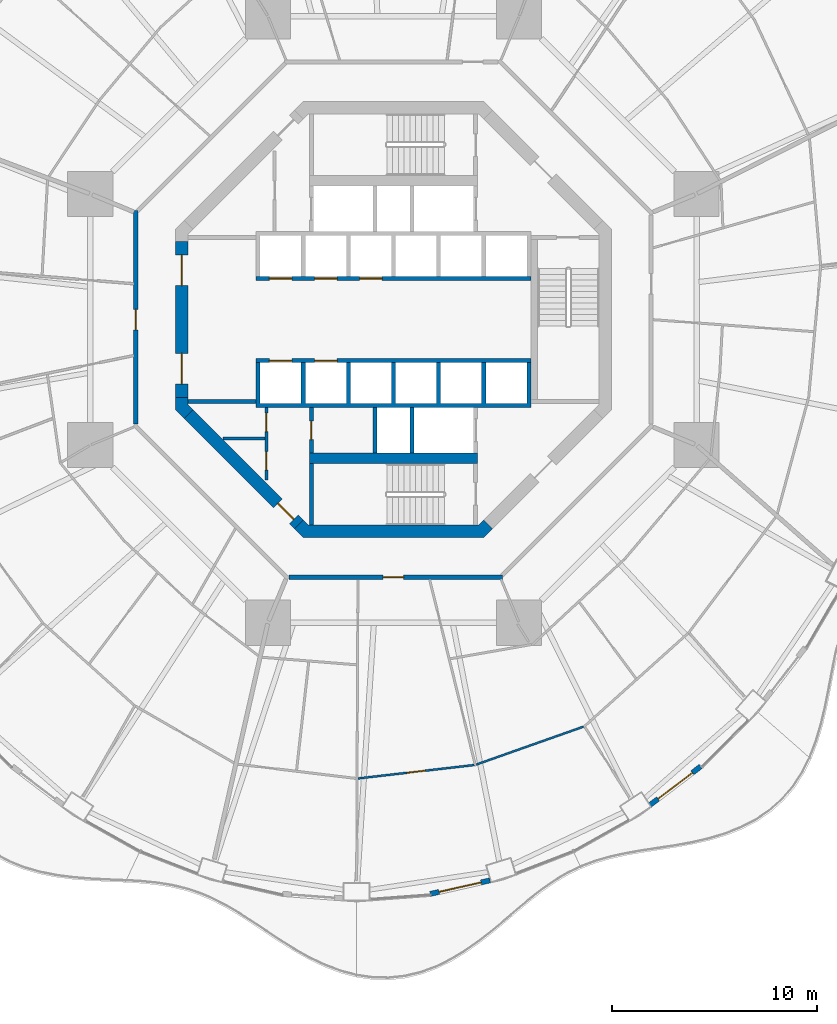
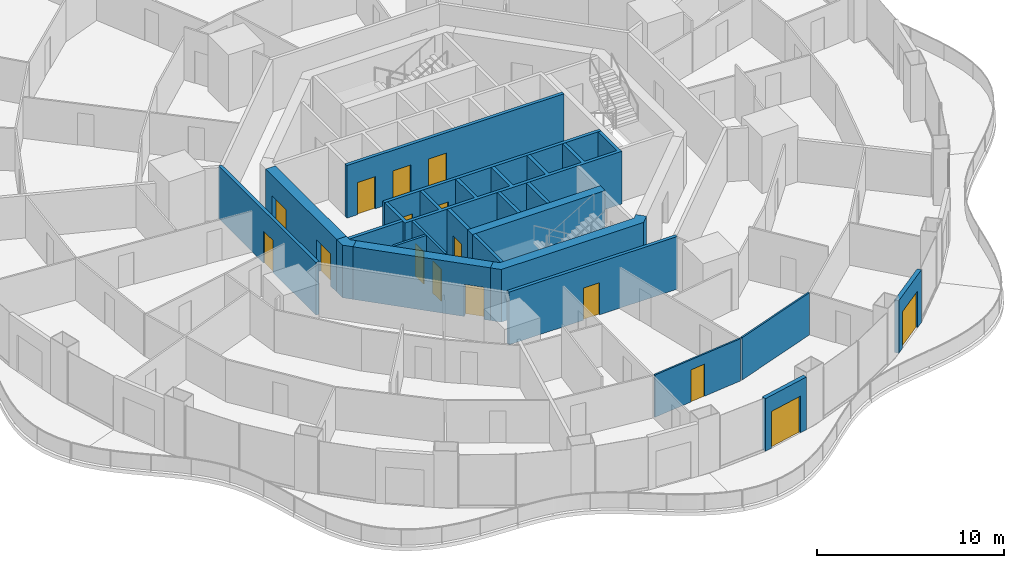
# One storey, part 15 of 22: 21 walls, 16 doors, 16 openings.
"""IFC4 building model written with IfcOpenShell, lengths in metres."""

from ifc_helpers import new_model, si_unit, direction, frame, frame_2d, origin, place, context, subcontext, project, spatial, polyline, rectangle, outline, extrude, material, layer, layer_set, type_object, element, fill, save


model = new_model("IFC4")

# Units and contexts
model_context = context("Model", 3, precision=1e-05, world=origin(), true_north=direction((0.0, 1.0)))
body_context = subcontext(model_context, "Body", "Model", "MODEL_VIEW")
ifc_project = project(units=[si_unit("LENGTHUNIT", "METRE"), si_unit("AREAUNIT", "SQUARE_METRE"), si_unit("VOLUMEUNIT", "CUBIC_METRE"), si_unit("PLANEANGLEUNIT", "RADIAN"), si_unit("MASSUNIT", "GRAM", prefix="KILO")], contexts=[model_context])

# Site, building, storey
site_placement = place(None, origin())
site = spatial("IfcSite", under=ifc_project, at=site_placement, CompositionType="ELEMENT")
building_placement = place(site_placement, origin())
building = spatial("IfcBuilding", under=site, at=building_placement, Name="Nagisa Residences", CompositionType="ELEMENT")
storey_placement = place(building_placement, frame((0.0, 0.0, 80.699951171875)))
storey = spatial("IfcBuildingStorey", under=building, at=storey_placement, Name="L19", CompositionType="ELEMENT", Elevation=80.699951171875)

# Wall, opening, door
ifc_material_1 = material(Name="Gypsum board on steel studs", Category="steel")
ifc_layer_1 = layer(ifc_material_1, 0.199951171875)
ifc_layer_set_1 = layer_set([ifc_layer_1], Name="Apartment entry wall EI60 200")
wall_type_1 = type_object("IfcWallType", Name="Apartment entry wall EI60 200", PredefinedType="PARTITIONING", material=ifc_layer_set_1)
wall_1_placement = place(storey_placement, frame((-12.564697265625, 5.304443359375, 0.0), z_axis=(0.0, 0.0, 1.0), x_axis=(0.0, -1.0, 0.0)))
wall_1 = element("IfcWall", 1, at=wall_1_placement, inside=storey, type_object=wall_type_1, Name="wall:L19:u12", PredefinedType="PARTITIONING", context=body_context, shape_type="SweptSolid", body=[
    extrude(rectangle(XDim=10.408935546875, YDim=0.199951171875, at=frame_2d((5.20458984375, 0.0))), origin(), (0.0, 0.0, 1.0), 3.43994140625),
])
opening_1_placement = place(wall_1_placement, frame((4.804443359375, 0.0, 0.0)))
opening_1 = element("IfcOpeningElement", 2, at=opening_1_placement, cuts=wall_1, Name="Opening L19-U22", PredefinedType="OPENING", context=body_context, shape_type="SweptSolid", body=[
    extrude(rectangle(XDim=1.0, YDim=2.10009765625, at=frame_2d((0.5, 1.050048828125))), frame((0.0, 0.10986328125, 0.0), z_axis=(0.0, -1.0, 0.0), x_axis=(1.0, 0.0, 0.0)), (0.0, 0.0, 1.0), 0.219970703125),
])
ifc_material_2 = material(Name="Timber fire door set", Category="wood")
door_type_1 = type_object("IfcDoorType", Name="Apartment entry door FD30S 1000x2100", OperationType="NOTDEFINED", PredefinedType="DOOR", material=ifc_material_2)
door_1_placement = place(opening_1_placement, frame((1.0, 0.0, 0.0), x_axis=(-1.0, 0.0, 0.0)))
door_1 = element("IfcDoor", 3, at=door_1_placement, inside=storey, type_object=door_type_1, Name="Entry door, Apartment 19B", OperationType="SINGLE_SWING_LEFT", OverallHeight=2.10009765625, OverallWidth=1.0, PredefinedType="DOOR", context=body_context, shape_type="SweptSolid", body=[
    extrude(rectangle(XDim=1.0, YDim=2.10009765625, at=frame_2d((0.5, 1.050048828125))), frame((0.0, 0.02490234375, 0.0), z_axis=(0.0, -1.0, 0.0), x_axis=(1.0, 0.0, 0.0)), (0.0, 0.0, 1.0), 0.050048828125),
])
fill(opening_1, door_1)

wall_2_placement = place(storey_placement, frame((-5.1044921875, -12.564697265625, 0.0), z_axis=(0.0, 0.0, 1.0), x_axis=(1.0, 0.0, 0.0)))
wall_2 = element("IfcWall", 4, at=wall_2_placement, inside=storey, type_object=wall_type_1, Name="wall:L19:u14", PredefinedType="PARTITIONING", context=body_context, shape_type="SweptSolid", body=[
    extrude(rectangle(XDim=10.408935546875, YDim=0.199951171875, at=frame_2d((5.20458984375, 0.0))), origin(), (0.0, 0.0, 1.0), 3.43994140625),
])
opening_2_placement = place(wall_2_placement, frame((4.6044921875, 0.0, 0.0)))
opening_2 = element("IfcOpeningElement", 5, at=opening_2_placement, cuts=wall_2, Name="Opening L19-U36", PredefinedType="OPENING", context=body_context, shape_type="SweptSolid", body=[
    extrude(rectangle(XDim=1.0, YDim=2.10009765625, at=frame_2d((0.5, 1.050048828125))), frame((0.0, 0.10986328125, 0.0), z_axis=(0.0, -1.0, 0.0), x_axis=(1.0, 0.0, 0.0)), (0.0, 0.0, 1.0), 0.219970703125),
])
door_2_placement = place(opening_2_placement, frame((1.0, 0.0, 0.0), x_axis=(-1.0, 0.0, 0.0)))
door_2 = element("IfcDoor", 6, at=door_2_placement, inside=storey, type_object=door_type_1, Name="Entry door, Apartment 19C", OperationType="SINGLE_SWING_LEFT", OverallHeight=2.10009765625, OverallWidth=1.0, PredefinedType="DOOR", context=body_context, shape_type="SweptSolid", body=[
    extrude(rectangle(XDim=1.0, YDim=2.10009765625, at=frame_2d((0.5, 1.050048828125))), frame((0.0, 0.02490234375, 0.0), z_axis=(0.0, -1.0, 0.0), x_axis=(1.0, 0.0, 0.0)), (0.0, 0.0, 1.0), 0.050048828125),
])
fill(opening_2, door_2)

ifc_material_3 = material(Name="Gypsum board on steel studs", Category="steel")
ifc_layer_2 = layer(ifc_material_3, 0.10009765625)
ifc_layer_set_2 = layer_set([ifc_layer_2], Name="Apartment partition 100")
wall_type_2 = type_object("IfcWallType", Name="Apartment partition 100", PredefinedType="PARTITIONING", material=ifc_layer_set_2)
wall_3_placement = place(storey_placement, frame((-1.7255859375, -22.375244140625, 0.0), z_axis=(0.0, 0.0, 1.0), x_axis=(0.99339223329, 0.114768771187, 0.0)))
wall_3 = element("IfcWall", 7, at=wall_3_placement, inside=storey, type_object=wall_type_2, Name="wall:L19:u77", PredefinedType="PARTITIONING", context=body_context, shape_type="SweptSolid", body=[
    extrude(rectangle(XDim=5.700927734375, YDim=0.10009765625, at=frame_2d((2.8505859375, 0.0))), origin(), (0.0, 0.0, 1.0), 2.761962890625),
])
opening_3_placement = place(wall_3_placement, frame((2.400390625, 0.0, 0.0)))
opening_3 = element("IfcOpeningElement", 8, at=opening_3_placement, cuts=wall_3, Name="Opening L19-U42", PredefinedType="OPENING", context=body_context, shape_type="SweptSolid", body=[
    extrude(rectangle(XDim=0.89990234375, YDim=2.10009765625, at=frame_2d((0.449951171875, 1.050048828125))), frame((0.0, 0.06005859375, 0.0), z_axis=(0.0, -1.0, 0.0), x_axis=(1.0, 0.0, 0.0)), (0.0, 0.0, 1.0), 0.1201171875),
])
ifc_material_4 = material(Name="Timber door set", Category="wood")
door_type_2 = type_object("IfcDoorType", Name="Apartment door 900x2100", OperationType="NOTDEFINED", PredefinedType="DOOR", material=ifc_material_4)
door_3_placement = place(opening_3_placement, frame((0.89990234375, 0.0, 0.0), x_axis=(-1.0, 0.0, 0.0)))
door_3 = element("IfcDoor", 9, at=door_3_placement, inside=storey, type_object=door_type_2, Name="Door to living room, Apartment 19C", OperationType="SINGLE_SWING_LEFT", OverallHeight=2.10009765625, OverallWidth=0.89990234375, PredefinedType="DOOR", context=body_context, shape_type="SweptSolid", body=[
    extrude(rectangle(XDim=0.89990234375, YDim=2.10009765625, at=frame_2d((0.449951171875, 1.050048828125))), frame((0.0, 0.02490234375, 0.0), z_axis=(0.0, -1.0, 0.0), x_axis=(1.0, 0.0, 0.0)), (0.0, 0.0, 1.0), 0.050048828125),
])
fill(opening_3, door_3)

# Wall
wall_4_placement = place(storey_placement, frame((4.034423828125, -21.698486328125, 0.0), z_axis=(0.0, 0.0, 1.0), x_axis=(0.942864271692, 0.333177077794, 0.0)))
element("IfcWall", 10, at=wall_4_placement, inside=storey, type_object=wall_type_2, Name="wall:L19:u80", PredefinedType="PARTITIONING", context=body_context, shape_type="SweptSolid", body=[
    extrude(rectangle(XDim=5.544921875, YDim=0.10009765625, at=frame_2d((2.7724609375, 0.0))), origin(), (0.0, 0.0, 1.0), 2.761962890625),
])

# Wall, opening, door
ifc_material_5 = material(Name="Precast concrete C40/50", Category="concrete")
ifc_layer_3 = layer(ifc_material_5, 0.25)
ifc_layer_set_3 = layer_set([ifc_layer_3], Name="BALCONY DOOR WALL 250")
wall_type_3 = type_object("IfcWallType", Name="BALCONY DOOR WALL 250", PredefinedType="SOLIDWALL", material=ifc_layer_set_3)
wall_5_placement = place(storey_placement, frame((4.70654296875, -27.344970703125, 0.0), z_axis=(0.0, 0.0, 1.0), x_axis=(-0.975317607872, -0.220806620767, 0.0)))
wall_5 = element("IfcWall", 11, at=wall_5_placement, inside=storey, type_object=wall_type_3, Name="wall:L19:bay37", PredefinedType="SOLIDWALL", context=body_context, shape_type="SweptSolid", body=[
    extrude(rectangle(XDim=2.9931640625, YDim=0.25, at=frame_2d((1.49658203125, 0.0))), origin(), (0.0, 0.0, 1.0), 3.43994140625),
])
opening_4_placement = place(wall_5_placement, frame((0.446533203125, 0.0, 0.0)))
opening_4 = element("IfcOpeningElement", 12, at=opening_4_placement, cuts=wall_5, Name="Opening BD-L19-13", PredefinedType="OPENING", context=body_context, shape_type="SweptSolid", body=[
    extrude(rectangle(XDim=2.10009765625, YDim=2.39990234375, at=frame_2d((1.050048828125, 1.199951171875))), frame((0.0, 0.135009765625, 0.0), z_axis=(0.0, -1.0, 0.0), x_axis=(1.0, 0.0, 0.0)), (0.0, 0.0, 1.0), 0.27001953125),
])
ifc_material_6 = material(Name="Aluminium and clear glass", Category="aluminium")
door_type_3 = type_object("IfcDoorType", Name="BALCONY SLIDING DOOR 2100x2400", OperationType="SLIDING_TO_LEFT", PredefinedType="DOOR", material=ifc_material_6)
door_4_placement = place(opening_4_placement, origin())
door_4 = element("IfcDoor", 13, at=door_4_placement, inside=storey, type_object=door_type_3, Name="door:L19:bay37", OperationType="SLIDING_TO_LEFT", OverallHeight=2.39990234375, OverallWidth=2.10009765625, PredefinedType="DOOR", context=body_context, shape_type="SweptSolid", body=[
    extrude(rectangle(XDim=2.10009765625, YDim=2.39990234375, at=frame_2d((1.050048828125, 1.199951171875))), frame((0.0, 0.02490234375, 0.0), z_axis=(0.0, -1.0, 0.0), x_axis=(1.0, 0.0, 0.0)), (0.0, 0.0, 1.0), 0.050048828125),
])
fill(opening_4, door_4)

wall_6_placement = place(storey_placement, frame((14.98388671875, -21.785400390625, 0.0), z_axis=(0.0, 0.0, 1.0), x_axis=(-0.796037575978, -0.605247203736, 0.0)))
wall_6 = element("IfcWall", 14, at=wall_6_placement, inside=storey, type_object=wall_type_3, Name="wall:L19:bay40", PredefinedType="SOLIDWALL", context=body_context, shape_type="SweptSolid", body=[
    extrude(rectangle(XDim=3.1337890625, YDim=0.25, at=frame_2d((1.56689453125, 0.0))), origin(), (0.0, 0.0, 1.0), 3.43994140625),
])
opening_5_placement = place(wall_6_placement, frame((0.51708984375, 0.0, 0.0)))
opening_5 = element("IfcOpeningElement", 15, at=opening_5_placement, cuts=wall_6, Name="Opening BD-L19-14", PredefinedType="OPENING", context=body_context, shape_type="SweptSolid", body=[
    extrude(rectangle(XDim=2.10009765625, YDim=2.39990234375, at=frame_2d((1.050048828125, 1.199951171875))), frame((0.0, 0.135009765625, 0.0), z_axis=(0.0, -1.0, 0.0), x_axis=(1.0, 0.0, 0.0)), (0.0, 0.0, 1.0), 0.27001953125),
])
door_5_placement = place(opening_5_placement, origin())
door_5 = element("IfcDoor", 16, at=door_5_placement, inside=storey, type_object=door_type_3, Name="door:L19:bay40", OperationType="SLIDING_TO_LEFT", OverallHeight=2.39990234375, OverallWidth=2.10009765625, PredefinedType="DOOR", context=body_context, shape_type="SweptSolid", body=[
    extrude(rectangle(XDim=2.10009765625, YDim=2.39990234375, at=frame_2d((1.050048828125, 1.199951171875))), frame((0.0, 0.02490234375, 0.0), z_axis=(0.0, -1.0, 0.0), x_axis=(1.0, 0.0, 0.0)), (0.0, 0.0, 1.0), 0.050048828125),
])
fill(opening_5, door_5)

# Wall, openings, doors
ifc_material_7 = material(Name="Gypsum board on steel studs", Category="steel")
ifc_layer_4 = layer(ifc_material_7, 0.14990234375)
ifc_layer_set_4 = layer_set([ifc_layer_4], Name="Core partition 150")
wall_type_4 = type_object("IfcWallType", Name="Core partition 150", PredefinedType="PARTITIONING", material=ifc_layer_set_4)
wall_7_placement = place(storey_placement, frame((-6.199951171875, -7.826904296875, 0.0), z_axis=(0.0, 0.0, 1.0), x_axis=(0.0, 1.0, 0.0)))
wall_7 = element("IfcWall", 17, at=wall_7_placement, inside=storey, type_object=wall_type_4, Name="wall:L19:SWp", PredefinedType="PARTITIONING", context=body_context, shape_type="SweptSolid", body=[
    extrude(rectangle(XDim=3.52685546875, YDim=0.14990234375, at=frame_2d((1.763427734375, 0.0))), origin(), (0.0, 0.0, 1.0), 3.43994140625),
])
opening_6_placement = place(wall_7_placement, frame((2.364501953125, 0.0, 0.0)))
opening_6 = element("IfcOpeningElement", 18, at=opening_6_placement, cuts=wall_7, Name="Opening L19-C13", PredefinedType="OPENING", context=body_context, shape_type="SweptSolid", body=[
    extrude(rectangle(XDim=0.89990234375, YDim=2.10009765625, at=frame_2d((0.449951171875, 1.050048828125))), frame((0.0, 0.0849609375, 0.0), z_axis=(0.0, -1.0, 0.0), x_axis=(1.0, 0.0, 0.0)), (0.0, 0.0, 1.0), 0.169921875),
])
opening_7_placement = place(wall_7_placement, frame((0.488525390625, 0.0, 0.0)))
opening_7 = element("IfcOpeningElement", 19, at=opening_7_placement, cuts=wall_7, Name="Opening L19-C14", PredefinedType="OPENING", context=body_context, shape_type="SweptSolid", body=[
    extrude(rectangle(XDim=0.89990234375, YDim=2.10009765625, at=frame_2d((0.449951171875, 1.050048828125))), frame((0.0, 0.0849609375, 0.0), z_axis=(0.0, -1.0, 0.0), x_axis=(1.0, 0.0, 0.0)), (0.0, 0.0, 1.0), 0.169921875),
])
ifc_material_8 = material(Name="Steel fire door", Category="steel")
door_type_4 = type_object("IfcDoorType", Name="Fire door EI30 900x2100 single swing", OperationType="NOTDEFINED", PredefinedType="DOOR", material=ifc_material_8)
door_6_placement = place(opening_6_placement, origin())
door_6 = element("IfcDoor", 20, at=door_6_placement, inside=storey, type_object=door_type_4, Name="Cleaner store door L19", OperationType="SINGLE_SWING_RIGHT", OverallHeight=2.10009765625, OverallWidth=0.89990234375, PredefinedType="DOOR", context=body_context, shape_type="SweptSolid", body=[
    extrude(rectangle(XDim=0.89990234375, YDim=2.10009765625, at=frame_2d((0.449951171875, 1.050048828125))), frame((0.0, 0.02490234375, 0.0), z_axis=(0.0, -1.0, 0.0), x_axis=(1.0, 0.0, 0.0)), (0.0, 0.0, 1.0), 0.050048828125),
])
fill(opening_6, door_6)
door_7_placement = place(opening_7_placement, origin())
door_7 = element("IfcDoor", 21, at=door_7_placement, inside=storey, type_object=door_type_4, Name="Package room door L19", OperationType="SINGLE_SWING_RIGHT", OverallHeight=2.10009765625, OverallWidth=0.89990234375, PredefinedType="DOOR", context=body_context, shape_type="SweptSolid", body=[
    extrude(rectangle(XDim=0.89990234375, YDim=2.10009765625, at=frame_2d((0.449951171875, 1.050048828125))), frame((0.0, 0.02490234375, 0.0), z_axis=(0.0, -1.0, 0.0), x_axis=(1.0, 0.0, 0.0)), (0.0, 0.0, 1.0), 0.050048828125),
])
fill(opening_7, door_7)

# Walls
wall_8_placement = place(storey_placement, frame((-8.301025390625, -5.800048828125, 0.0), z_axis=(0.0, 0.0, 1.0), x_axis=(1.0, 0.0, 0.0)))
element("IfcWall", 22, at=wall_8_placement, inside=storey, type_object=wall_type_4, Name="wall:L19:SWq", PredefinedType="PARTITIONING", context=body_context, shape_type="SweptSolid", body=[
    extrude(rectangle(XDim=2.026123046875, YDim=0.14990234375, at=frame_2d((1.01318359375, 0.0))), origin(), (0.0, 0.0, 1.0), 3.43994140625),
])
ifc_material_9 = material(Name="Gypsum board on steel studs", Category="steel")
ifc_layer_5 = layer(ifc_material_9, 0.199951171875)
ifc_layer_set_5 = layer_set([ifc_layer_5], Name="Core partition 200")
wall_type_5 = type_object("IfcWallType", Name="Core partition 200", PredefinedType="PARTITIONING", material=ifc_layer_set_5)
wall_9_placement = place(storey_placement, frame((-10.024658203125, -4.0, 0.0), z_axis=(0.0, 0.0, 1.0), x_axis=(1.0, 0.0, 0.0)))
element("IfcWall", 23, at=wall_9_placement, inside=storey, type_object=wall_type_5, Name="wall:L19:PSW", PredefinedType="PARTITIONING", context=body_context, shape_type="SweptSolid", body=[
    extrude(rectangle(XDim=3.32470703125, YDim=0.199951171875, at=frame_2d((1.662353515625, 0.0))), origin(), (0.0, 0.0, 1.0), 3.43994140625),
])

# Wall, openings, doors
ifc_material_10 = material(Name="Concrete C60", Category="concrete")
ifc_layer_6 = layer(ifc_material_10, 0.60009765625)
ifc_layer_set_6 = layer_set([ifc_layer_6], Name="Core shear wall 600")
wall_type_6 = type_object("IfcWallType", Name="Core shear wall 600", PredefinedType="SHEAR", material=ifc_layer_set_6)
wall_10_placement = place(storey_placement, frame((-10.32470703125, 3.80078125, 0.0), z_axis=(0.0, 0.0, 1.0), x_axis=(0.0, -1.0, 0.0)))
wall_10 = element("IfcWall", 24, at=wall_10_placement, inside=storey, type_object=wall_type_6, Name="wall:L19:core:flat4", PredefinedType="SHEAR", context=body_context, shape_type="SweptSolid", body=[
    extrude(rectangle(XDim=7.6015625, YDim=0.60009765625, at=frame_2d((3.80078125, 0.0))), origin(), (0.0, 0.0, 1.0), 3.43994140625),
])
opening_8_placement = place(wall_10_placement, frame((0.65087890625, 0.0, 0.0)))
opening_8 = element("IfcOpeningElement", 25, at=opening_8_placement, cuts=wall_10, Name="Opening L19-C18", PredefinedType="OPENING", context=body_context, shape_type="SweptSolid", body=[
    extrude(rectangle(XDim=1.5, YDim=2.10009765625, at=frame_2d((0.75, 1.050048828125))), frame((0.0, 0.31005859375, 0.0), z_axis=(0.0, -1.0, 0.0), x_axis=(1.0, 0.0, 0.0)), (0.0, 0.0, 1.0), 0.6201171875),
])
opening_9_placement = place(wall_10_placement, frame((5.450927734375, 0.0, 0.0)))
opening_9 = element("IfcOpeningElement", 26, at=opening_9_placement, cuts=wall_10, Name="Opening L19-C19", PredefinedType="OPENING", context=body_context, shape_type="SweptSolid", body=[
    extrude(rectangle(XDim=1.5, YDim=2.10009765625, at=frame_2d((0.75, 1.050048828125))), frame((0.0, 0.31005859375, 0.0), z_axis=(0.0, -1.0, 0.0), x_axis=(1.0, 0.0, 0.0)), (0.0, 0.0, 1.0), 0.6201171875),
])
ifc_material_11 = material(Name="Steel fire door", Category="steel")
door_type_5 = type_object("IfcDoorType", Name="Fire door EI60 1500x2100 double door single swing", OperationType="DOUBLE_DOOR_SINGLE_SWING", PredefinedType="DOOR", material=ifc_material_11)
door_8_placement = place(opening_8_placement, origin())
door_8 = element("IfcDoor", 27, at=door_8_placement, inside=storey, type_object=door_type_5, Name="Lift lobby door L19 1", OperationType="DOUBLE_DOOR_SINGLE_SWING", OverallHeight=2.10009765625, OverallWidth=1.5, PredefinedType="DOOR", context=body_context, shape_type="SweptSolid", body=[
    extrude(rectangle(XDim=1.5, YDim=2.10009765625, at=frame_2d((0.75, 1.050048828125))), frame((0.0, 0.02490234375, 0.0), z_axis=(0.0, -1.0, 0.0), x_axis=(1.0, 0.0, 0.0)), (0.0, 0.0, 1.0), 0.050048828125),
])
fill(opening_8, door_8)
door_9_placement = place(opening_9_placement, origin())
door_9 = element("IfcDoor", 28, at=door_9_placement, inside=storey, type_object=door_type_5, Name="Lift lobby door L19 2", OperationType="DOUBLE_DOOR_SINGLE_SWING", OverallHeight=2.10009765625, OverallWidth=1.5, PredefinedType="DOOR", context=body_context, shape_type="SweptSolid", body=[
    extrude(rectangle(XDim=1.5, YDim=2.10009765625, at=frame_2d((0.75, 1.050048828125))), frame((0.0, 0.02490234375, 0.0), z_axis=(0.0, -1.0, 0.0), x_axis=(1.0, 0.0, 0.0)), (0.0, 0.0, 1.0), 0.050048828125),
])
fill(opening_9, door_9)

# Wall, opening, door
wall_11_placement = place(storey_placement, frame((-9.98828125, -4.613037109375, 0.0), z_axis=(0.0, 0.0, 1.0), x_axis=(0.707106781187, -0.707106781187, 0.0)))
wall_11 = element("IfcWall", 29, at=wall_11_placement, inside=storey, type_object=wall_type_6, Name="wall:L19:core:flat5", PredefinedType="SHEAR", context=body_context, shape_type="SweptSolid", body=[
    extrude(rectangle(XDim=7.601806640625, YDim=0.60009765625, at=frame_2d((3.80078125, 0.0))), origin(), (0.0, 0.0, 1.0), 3.43994140625),
])
opening_10_placement = place(wall_11_placement, frame((6.15087890625, 0.0, 0.0)))
opening_10 = element("IfcOpeningElement", 30, at=opening_10_placement, cuts=wall_11, Name="Opening L19-C21", PredefinedType="OPENING", context=body_context, shape_type="SweptSolid", body=[
    extrude(rectangle(XDim=1.10009765625, YDim=2.10009765625, at=frame_2d((0.550048828125, 1.050048828125))), frame((0.0, 0.31005859375, 0.0), z_axis=(0.0, -1.0, 0.0), x_axis=(1.0, 0.0, 0.0)), (0.0, 0.0, 1.0), 0.6201171875),
])
ifc_material_12 = material(Name="Steel fire door", Category="steel")
door_type_6 = type_object("IfcDoorType", Name="Fire door EI60 1100x2100 single swing", OperationType="NOTDEFINED", PredefinedType="DOOR", material=ifc_material_12)
door_10_placement = place(opening_10_placement, origin())
door_10 = element("IfcDoor", 31, at=door_10_placement, inside=storey, type_object=door_type_6, Name="Housekeeping lobby door L19", OperationType="SINGLE_SWING_LEFT", OverallHeight=2.10009765625, OverallWidth=1.10009765625, PredefinedType="DOOR", context=body_context, shape_type="SweptSolid", body=[
    extrude(rectangle(XDim=1.10009765625, YDim=2.10009765625, at=frame_2d((0.550048828125, 1.050048828125))), frame((0.0, 0.02490234375, 0.0), z_axis=(0.0, -1.0, 0.0), x_axis=(1.0, 0.0, 0.0)), (0.0, 0.0, 1.0), 0.050048828125),
])
fill(opening_10, door_10)

# Walls
wall_12_placement = place(storey_placement, origin())
element("IfcWall", 32, at=wall_12_placement, inside=storey, type_object=wall_type_6, Name="wall:L19:core:pier4", PredefinedType="SHEAR", context=body_context, shape_type="SweptSolid", body=[
    extrude(outline(polyline([(-10.62451171875, -3.80078125), (-10.024658203125, -3.80078125), (-10.024658203125, -4.15234375), (-9.776123046875, -4.40087890625), (-10.200439453125, -4.8251953125), (-10.62451171875, -4.40087890625), (-10.62451171875, -3.80078125)])), origin(), (0.0, 0.0, 1.0), 3.43994140625),
])
wall_13_placement = place(storey_placement, origin())
element("IfcWall", 33, at=wall_13_placement, inside=storey, type_object=wall_type_6, Name="wall:L19:core:flat6", PredefinedType="SHEAR", context=body_context, shape_type="SweptSolid", body=[
    extrude(outline(polyline([(-4.15234375, -10.024658203125), (4.15234375, -10.024658203125), (4.40087890625, -9.776123046875), (4.8251953125, -10.200439453125), (4.40087890625, -10.62451171875), (-4.40087890625, -10.62451171875), (-4.8251953125, -10.200439453125), (-4.40087890625, -9.776123046875), (-4.15234375, -10.024658203125)])), origin(), (0.0, 0.0, 1.0), 3.43994140625),
])

# Wall, openings, doors
ifc_material_13 = material(Name="Concrete C60", Category="concrete")
ifc_layer_7 = layer(ifc_material_13, 0.199951171875)
ifc_layer_set_7 = layer_set([ifc_layer_7], Name="Lift shaft wall 200")
wall_type_7 = type_object("IfcWallType", Name="Lift shaft wall 200", PredefinedType="SOLIDWALL", material=ifc_layer_set_7)
wall_14_placement = place(storey_placement, frame((-6.699951171875, 2.0, 0.0), z_axis=(0.0, 0.0, 1.0), x_axis=(1.0, 0.0, 0.0)))
wall_14 = element("IfcWall", 34, at=wall_14_placement, inside=storey, type_object=wall_type_7, Name="wall:L19:Nfront", PredefinedType="SOLIDWALL", context=body_context, shape_type="SweptSolid", body=[
    extrude(rectangle(XDim=13.39990234375, YDim=0.199951171875, at=frame_2d((6.699951171875, 0.0))), origin(), (0.0, 0.0, 1.0), 3.43994140625),
])
opening_11_placement = place(wall_14_placement, frame((0.64990234375, 0.0, 0.0)))
opening_11 = element("IfcOpeningElement", 35, at=opening_11_placement, cuts=wall_14, Name="Opening L19-C01", PredefinedType="OPENING", context=body_context, shape_type="SweptSolid", body=[
    extrude(rectangle(XDim=1.10009765625, YDim=2.10009765625, at=frame_2d((0.550048828125, 1.050048828125))), frame((0.0, 0.10986328125, 0.0), z_axis=(0.0, -1.0, 0.0), x_axis=(1.0, 0.0, 0.0)), (0.0, 0.0, 1.0), 0.219970703125),
])
opening_12_placement = place(wall_14_placement, frame((2.85009765625, 0.0, 0.0)))
opening_12 = element("IfcOpeningElement", 36, at=opening_12_placement, cuts=wall_14, Name="Opening L19-C02", PredefinedType="OPENING", context=body_context, shape_type="SweptSolid", body=[
    extrude(rectangle(XDim=1.10009765625, YDim=2.10009765625, at=frame_2d((0.550048828125, 1.050048828125))), frame((0.0, 0.10986328125, 0.0), z_axis=(0.0, -1.0, 0.0), x_axis=(1.0, 0.0, 0.0)), (0.0, 0.0, 1.0), 0.219970703125),
])
opening_13_placement = place(wall_14_placement, frame((5.050048828125, 0.0, 0.0)))
opening_13 = element("IfcOpeningElement", 37, at=opening_13_placement, cuts=wall_14, Name="Opening L19-C03", PredefinedType="OPENING", context=body_context, shape_type="SweptSolid", body=[
    extrude(rectangle(XDim=1.10009765625, YDim=2.10009765625, at=frame_2d((0.550048828125, 1.050048828125))), frame((0.0, 0.10986328125, 0.0), z_axis=(0.0, -1.0, 0.0), x_axis=(1.0, 0.0, 0.0)), (0.0, 0.0, 1.0), 0.219970703125),
])
ifc_material_14 = material(Name="Stainless steel", Category="steel")
door_type_7 = type_object("IfcDoorType", Name="Lift landing door 1100x2100", OperationType="DOUBLE_DOOR_SLIDING", PredefinedType="DOOR", material=ifc_material_14)
door_11_placement = place(opening_11_placement, origin())
door_11 = element("IfcDoor", 38, at=door_11_placement, inside=storey, type_object=door_type_7, Name="Landing door A1 L19", OperationType="DOUBLE_DOOR_SLIDING", OverallHeight=2.10009765625, OverallWidth=1.10009765625, PredefinedType="DOOR", context=body_context, shape_type="SweptSolid", body=[
    extrude(rectangle(XDim=1.10009765625, YDim=2.10009765625, at=frame_2d((0.550048828125, 1.050048828125))), frame((0.0, 0.02490234375, 0.0), z_axis=(0.0, -1.0, 0.0), x_axis=(1.0, 0.0, 0.0)), (0.0, 0.0, 1.0), 0.050048828125),
])
fill(opening_11, door_11)
door_12_placement = place(opening_12_placement, origin())
door_12 = element("IfcDoor", 39, at=door_12_placement, inside=storey, type_object=door_type_7, Name="Landing door A2 L19", OperationType="DOUBLE_DOOR_SLIDING", OverallHeight=2.10009765625, OverallWidth=1.10009765625, PredefinedType="DOOR", context=body_context, shape_type="SweptSolid", body=[
    extrude(rectangle(XDim=1.10009765625, YDim=2.10009765625, at=frame_2d((0.550048828125, 1.050048828125))), frame((0.0, 0.02490234375, 0.0), z_axis=(0.0, -1.0, 0.0), x_axis=(1.0, 0.0, 0.0)), (0.0, 0.0, 1.0), 0.050048828125),
])
fill(opening_12, door_12)
door_13_placement = place(opening_13_placement, origin())
door_13 = element("IfcDoor", 40, at=door_13_placement, inside=storey, type_object=door_type_7, Name="Landing door A3 L19", OperationType="DOUBLE_DOOR_SLIDING", OverallHeight=2.10009765625, OverallWidth=1.10009765625, PredefinedType="DOOR", context=body_context, shape_type="SweptSolid", body=[
    extrude(rectangle(XDim=1.10009765625, YDim=2.10009765625, at=frame_2d((0.550048828125, 1.050048828125))), frame((0.0, 0.02490234375, 0.0), z_axis=(0.0, -1.0, 0.0), x_axis=(1.0, 0.0, 0.0)), (0.0, 0.0, 1.0), 0.050048828125),
])
fill(opening_13, door_13)

# Wall, opening, door
wall_15_placement = place(storey_placement, frame((-4.0, -6.5, 0.0), z_axis=(0.0, 0.0, 1.0), x_axis=(0.0, 1.0, 0.0)))
wall_15 = element("IfcWall", 41, at=wall_15_placement, inside=storey, type_object=wall_type_7, Name="wall:L19:Sb4", PredefinedType="SOLIDWALL", context=body_context, shape_type="SweptSolid", body=[
    extrude(rectangle(XDim=2.199951171875, YDim=0.199951171875, at=frame_2d((1.10009765625, 0.0))), origin(), (0.0, 0.0, 1.0), 3.43994140625),
])
opening_14_placement = place(wall_15_placement, frame((0.64990234375, 0.0, 0.0)))
opening_14 = element("IfcOpeningElement", 42, at=opening_14_placement, cuts=wall_15, Name="Opening L19-C15", PredefinedType="OPENING", context=body_context, shape_type="SweptSolid", body=[
    extrude(rectangle(XDim=0.89990234375, YDim=2.10009765625, at=frame_2d((0.449951171875, 1.050048828125))), frame((0.0, 0.10986328125, 0.0), z_axis=(0.0, -1.0, 0.0), x_axis=(1.0, 0.0, 0.0)), (0.0, 0.0, 1.0), 0.219970703125),
])
door_14_placement = place(opening_14_placement, frame((0.89990234375, 0.0, 0.0), x_axis=(-1.0, 0.0, 0.0)))
door_14 = element("IfcDoor", 43, at=door_14_placement, inside=storey, type_object=door_type_4, Name="Refuse room door L19", OperationType="SINGLE_SWING_RIGHT", OverallHeight=2.10009765625, OverallWidth=0.89990234375, PredefinedType="DOOR", context=body_context, shape_type="SweptSolid", body=[
    extrude(rectangle(XDim=0.89990234375, YDim=2.10009765625, at=frame_2d((0.449951171875, 1.050048828125))), frame((0.0, 0.02490234375, 0.0), z_axis=(0.0, -1.0, 0.0), x_axis=(1.0, 0.0, 0.0)), (0.0, 0.0, 1.0), 0.050048828125),
])
fill(opening_14, door_14)

# Wall, openings, doors
wall_16_placement = place(storey_placement, frame((-6.699951171875, -2.0, 0.0), z_axis=(0.0, 0.0, 1.0), x_axis=(1.0, 0.0, 0.0)))
wall_16 = element("IfcWall", 44, at=wall_16_placement, inside=storey, type_object=wall_type_7, Name="wall:L19:Sfront", PredefinedType="SOLIDWALL", context=body_context, shape_type="SweptSolid", body=[
    extrude(rectangle(XDim=13.39990234375, YDim=0.199951171875, at=frame_2d((6.699951171875, 0.0))), origin(), (0.0, 0.0, 1.0), 3.43994140625),
])
opening_15_placement = place(wall_16_placement, frame((0.64990234375, 0.0, 0.0)))
opening_15 = element("IfcOpeningElement", 45, at=opening_15_placement, cuts=wall_16, Name="Opening L19-C04", PredefinedType="OPENING", context=body_context, shape_type="SweptSolid", body=[
    extrude(rectangle(XDim=1.10009765625, YDim=2.10009765625, at=frame_2d((0.550048828125, 1.050048828125))), frame((0.0, 0.10986328125, 0.0), z_axis=(0.0, -1.0, 0.0), x_axis=(1.0, 0.0, 0.0)), (0.0, 0.0, 1.0), 0.219970703125),
])
opening_16_placement = place(wall_16_placement, frame((2.85009765625, 0.0, 0.0)))
opening_16 = element("IfcOpeningElement", 46, at=opening_16_placement, cuts=wall_16, Name="Opening L19-C05", PredefinedType="OPENING", context=body_context, shape_type="SweptSolid", body=[
    extrude(rectangle(XDim=1.10009765625, YDim=2.10009765625, at=frame_2d((0.550048828125, 1.050048828125))), frame((0.0, 0.10986328125, 0.0), z_axis=(0.0, -1.0, 0.0), x_axis=(1.0, 0.0, 0.0)), (0.0, 0.0, 1.0), 0.219970703125),
])
door_15_placement = place(opening_15_placement, origin())
door_15 = element("IfcDoor", 47, at=door_15_placement, inside=storey, type_object=door_type_7, Name="Landing door A4 L19", OperationType="DOUBLE_DOOR_SLIDING", OverallHeight=2.10009765625, OverallWidth=1.10009765625, PredefinedType="DOOR", context=body_context, shape_type="SweptSolid", body=[
    extrude(rectangle(XDim=1.10009765625, YDim=2.10009765625, at=frame_2d((0.550048828125, 1.050048828125))), frame((0.0, 0.02490234375, 0.0), z_axis=(0.0, -1.0, 0.0), x_axis=(1.0, 0.0, 0.0)), (0.0, 0.0, 1.0), 0.050048828125),
])
fill(opening_15, door_15)
door_16_placement = place(opening_16_placement, origin())
door_16 = element("IfcDoor", 48, at=door_16_placement, inside=storey, type_object=door_type_7, Name="Landing door A5 L19", OperationType="DOUBLE_DOOR_SLIDING", OverallHeight=2.10009765625, OverallWidth=1.10009765625, PredefinedType="DOOR", context=body_context, shape_type="SweptSolid", body=[
    extrude(rectangle(XDim=1.10009765625, YDim=2.10009765625, at=frame_2d((0.550048828125, 1.050048828125))), frame((0.0, 0.02490234375, 0.0), z_axis=(0.0, -1.0, 0.0), x_axis=(1.0, 0.0, 0.0)), (0.0, 0.0, 1.0), 0.050048828125),
])
fill(opening_16, door_16)

# Walls
for number, where, z_axis, x_axis, name in (
    (49, (-0.89990234375, -6.5, 0.0), (0.0, 0.0, 1.0), (0.0, 1.0, 0.0), "wall:L19:Sb1"),
    (50, (0.89990234375, -6.5, 0.0), (0.0, 0.0, 1.0), (0.0, 1.0, 0.0), "wall:L19:Sb2"),
):
    element("IfcWall", number, at=place(storey_placement, frame(where, z_axis=z_axis, x_axis=x_axis)), inside=storey, type_object=wall_type_7, Name=name, PredefinedType="SOLIDWALL", context=body_context, shape_type="SweptSolid", body=[
        extrude(rectangle(XDim=2.199951171875, YDim=0.199951171875, at=frame_2d((1.10009765625, 0.0))), origin(), (0.0, 0.0, 1.0), 3.43994140625),
    ])
wall_17_placement = place(storey_placement, origin())
element("IfcWall", 51, at=wall_17_placement, inside=storey, type_object=wall_type_7, Name="wall:L19:Sback", PredefinedType="SOLIDWALL", context=body_context, shape_type="SweptSolid", body=[
    extrude(outline(polyline([(-6.699951171875, -2.10009765625), (-6.5, -2.10009765625), (-6.5, -4.10009765625), (-4.5, -4.10009765625), (-4.5, -2.10009765625), (-4.300048828125, -2.10009765625), (-4.300048828125, -4.10009765625), (-2.300048828125, -4.10009765625), (-2.300048828125, -2.10009765625), (-2.10009765625, -2.10009765625), (-2.10009765625, -4.10009765625), (-0.10009765625, -4.10009765625), (-0.10009765625, -2.10009765625), (0.10009765625, -2.10009765625), (0.10009765625, -4.10009765625), (2.10009765625, -4.10009765625), (2.10009765625, -2.10009765625), (2.300048828125, -2.10009765625), (2.300048828125, -4.10009765625), (4.300048828125, -4.10009765625), (4.300048828125, -2.10009765625), (4.5, -2.10009765625), (4.5, -4.10009765625), (6.5, -4.10009765625), (6.5, -2.10009765625), (6.699951171875, -2.10009765625), (6.699951171875, -4.300048828125), (-6.699951171875, -4.300048828125), (-6.699951171875, -2.10009765625)])), origin(), (0.0, 0.0, 1.0), 3.43994140625),
])
ifc_material_15 = material(Name="Concrete C60", Category="concrete")
ifc_layer_8 = layer(ifc_material_15, 0.199951171875)
ifc_layer_set_8 = layer_set([ifc_layer_8], Name="Stair enclosure wall 200")
wall_type_8 = type_object("IfcWallType", Name="Stair enclosure wall 200", PredefinedType="SOLIDWALL", material=ifc_layer_set_8)
wall_18_placement = place(storey_placement, origin())
element("IfcWall", 52, at=wall_18_placement, inside=storey, type_object=wall_type_8, Name="wall:L19:SS_w", PredefinedType="SOLIDWALL", context=body_context, shape_type="SweptSolid", body=[
    extrude(outline(polyline([(-3.89990234375, -10.024658203125), (-4.10009765625, -10.024658203125), (-4.10009765625, -7.024658203125), (-3.89990234375, -7.024658203125), (-3.89990234375, -10.024658203125)])), origin(), (0.0, 0.0, 1.0), 3.43994140625),
])
wall_19_placement = place(storey_placement, origin())
element("IfcWall", 53, at=wall_19_placement, inside=storey, type_object=wall_type_8, Name="wall:L19:SS_n", PredefinedType="SOLIDWALL", context=body_context, shape_type="SweptSolid", body=[
    extrude(outline(polyline([(4.10009765625, -7.024658203125), (-4.10009765625, -7.024658203125), (-4.10009765625, -6.5), (4.10009765625, -6.5), (4.10009765625, -7.024658203125)])), origin(), (0.0, 0.0, 1.0), 3.43994140625),
])

save(model, "model.ifc")
